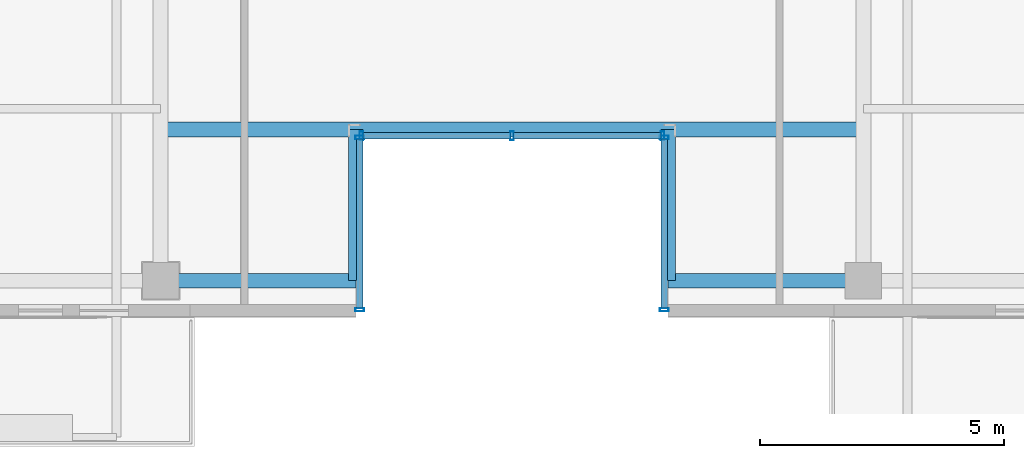
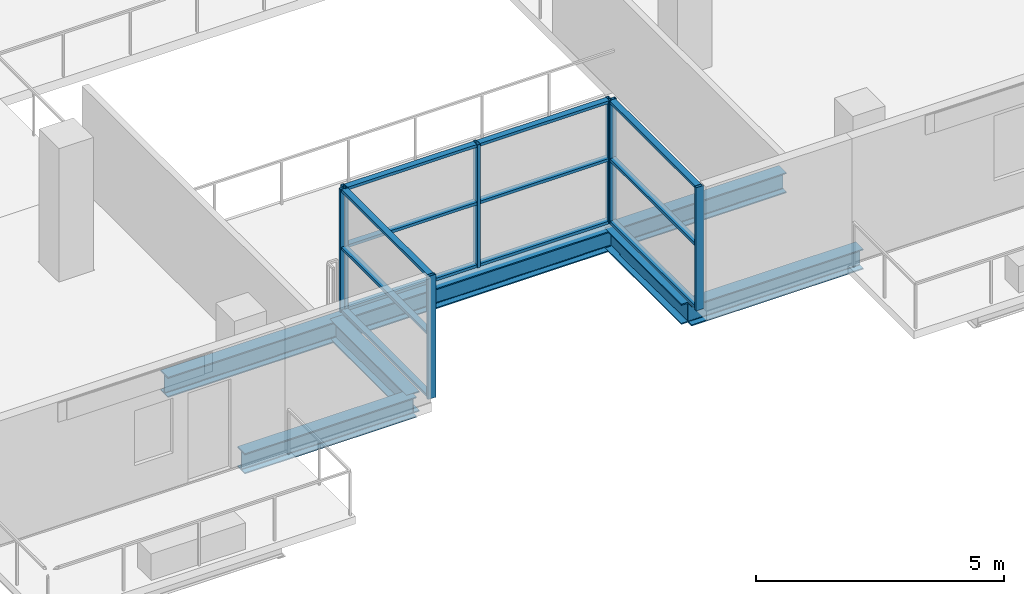
# One storey, part 5 of 22: 19 members, 5 beams, 3 elements without a shape of their own.
"""IFC4 building model written with IfcOpenShell, lengths in metres."""

from ifc_helpers import new_model, si_unit, direction, frame, origin, origin_2d, place, context, subcontext, project, spatial, hollow_rectangle, i_section, extrude, source, transform, mapped, material, layer, layer_set, material_profile, profile_set, type_object, element, aggregate, save


model = new_model("IFC4")

# Units and contexts
model_context = context("Model", 3, precision=1e-05, world=origin(), true_north=direction((0.0, 1.0)))
body_context = subcontext(model_context, "Body", "Model", "MODEL_VIEW")
ifc_project = project(units=[si_unit("LENGTHUNIT", "METRE"), si_unit("AREAUNIT", "SQUARE_METRE"), si_unit("VOLUMEUNIT", "CUBIC_METRE"), si_unit("PLANEANGLEUNIT", "RADIAN"), si_unit("MASSUNIT", "GRAM", prefix="KILO")], contexts=[model_context])

# Site, building, storey
site_placement = place(None, origin())
site = spatial("IfcSite", under=ifc_project, at=site_placement, CompositionType="ELEMENT")
building_placement = place(site_placement, origin())
building = spatial("IfcBuilding", under=site, at=building_placement, Name="Zarnakvel Exchange Tower", CompositionType="ELEMENT")
storey_placement = place(building_placement, frame((0.0, 0.0, 195.699951171875)))
storey = spatial("IfcBuildingStorey", under=building, at=storey_placement, Name="L55", CompositionType="ELEMENT", Elevation=195.699951171875)

# Beams
ifc_material_1 = material(Name="Steel S355", Category="steel")
ifc_material_profile_1 = material_profile(ifc_material_1, i_section(OverallWidth=0.300048828125, OverallDepth=0.5, WebThickness=0.014404296875, FlangeThickness=0.028076171875, FilletRadius=0.027099609375, at=origin_2d()))
ifc_profile_set_1 = profile_set([ifc_material_profile_1], Name="Steel S355")
beam_type_1 = type_object("IfcBeamType", Name="G-06", PredefinedType="BEAM", material=ifc_profile_set_1)
for number, where, z_axis, x_axis, name in (
    (1, (-3.199951171875, -16.64990234375, -0.474853515625), (0.0, 1.0, 0.0), (-1.0, 0.0, 0.0), "L55 South Slot West Cheek Beam"),
    (2, (3.199951171875, -16.64990234375, -0.474853515625), (0.0, 1.0, 0.0), (-1.0, 0.0, 0.0), "L55 South Slot East Cheek Beam"),
):
    element("IfcBeam", number, at=place(storey_placement, frame(where, z_axis=z_axis, x_axis=x_axis)), inside=storey, type_object=beam_type_1, Name=name, PredefinedType="BEAM", context=body_context, shape_type="SweptSolid", body=[
        extrude(i_section(OverallWidth=0.300048828125, OverallDepth=0.5, WebThickness=0.014404296875, FlangeThickness=0.028076171875, FilletRadius=0.027099609375, at=origin_2d()), origin(), (0.0, 0.0, 1.0), 3.099853515625),
    ])
ifc_material_profile_2 = material_profile(ifc_material_1, i_section(OverallWidth=0.300048828125, OverallDepth=0.5, WebThickness=0.014404296875, FlangeThickness=0.028076171875, FilletRadius=0.027099609375, at=origin_2d()))
ifc_profile_set_2 = profile_set([ifc_material_profile_2], Name="Steel S355")
beam_type_2 = type_object("IfcBeamType", Name="SP-02", PredefinedType="SPANDREL", material=ifc_profile_set_2)
for number, where, z_axis, x_axis, name in (
    (3, (-7.199951171875, -16.64990234375, -0.474853515625), (1.0, 0.0, 0.0), (0.0, 1.0, 0.0), "L55 South Slot West Jamb Spandrel"),
    (4, (3.199951171875, -16.64990234375, -0.474853515625), (1.0, 0.0, 0.0), (0.0, 1.0, 0.0), "L55 South Slot East Jamb Spandrel"),
):
    element("IfcBeam", number, at=place(storey_placement, frame(where, z_axis=z_axis, x_axis=x_axis)), inside=storey, type_object=beam_type_2, Name=name, PredefinedType="SPANDREL", context=body_context, shape_type="SweptSolid", body=[
        extrude(i_section(OverallWidth=0.300048828125, OverallDepth=0.5, WebThickness=0.014404296875, FlangeThickness=0.028076171875, FilletRadius=0.027099609375, at=origin_2d()), origin(), (0.0, 0.0, 1.0), 4.0),
    ])
beam_placement = place(storey_placement, frame((-7.199951171875, -13.550048828125, -0.474853515625), z_axis=(1.0, 0.0, 0.0), x_axis=(0.0, 1.0, 0.0)))
element("IfcBeam", 5, at=beam_placement, inside=storey, type_object=beam_type_2, Name="L55 South Slot Head Trimmer Girder", PredefinedType="SPANDREL", context=body_context, shape_type="SweptSolid", body=[
    extrude(i_section(OverallWidth=0.300048828125, OverallDepth=0.5, WebThickness=0.014404296875, FlangeThickness=0.028076171875, FilletRadius=0.027099609375, at=origin_2d()), origin(), (0.0, 0.0, 1.0), 14.39990234375),
])

# Curtain wall, members
ifc_material_2 = material(Name="Architectural Bronze Anodised Aluminium", Category="aluminium")
ifc_layer = layer(ifc_material_2, 0.179931640625)
ifc_layer_set = layer_set([ifc_layer], Name="Architectural Bronze Anodised Aluminium")
curtain_wall_type = type_object("IfcCurtainWallType", Name="CW-05", PredefinedType="NOTDEFINED", material=ifc_layer_set)
curtain_wall_1_placement = place(storey_placement, origin())
curtain_wall_1 = element("IfcCurtainWall", 6, at=curtain_wall_1_placement, inside=storey, type_object=curtain_wall_type, Name="L55 Curtain Wall CW-L55-SLW (CW-05)", PredefinedType="NOTDEFINED")
ifc_material_profile_3 = material_profile(ifc_material_2, hollow_rectangle(XDim=0.139892578125, YDim=0.070068359375, WallThickness=0.00390625, at=origin_2d()))
ifc_profile_set_3 = profile_set([ifc_material_profile_3], Name="Architectural Bronze Anodised Aluminium")
member_type_1 = type_object("IfcMemberType", Name="CWT-05", PredefinedType="USERDEFINED", material=ifc_profile_set_3)
shared_shape_1 = source(origin(), body_context, "Body", "SweptSolid", [
    extrude(hollow_rectangle(XDim=0.139892578125, YDim=0.070068359375, WallThickness=0.00390625, at=origin_2d()), origin(), (0.0, 0.0, 1.0), 3.4599609375),
])
member_1_placement = place(storey_placement, frame((-3.1201171875, -17.2099609375, 0.03515625), z_axis=(0.0, 1.0, 0.0), x_axis=(-1.0, 0.0, 0.0)))
member_1 = element("IfcMember", 7, at=member_1_placement, type_object=member_type_1, Name="CW-05 transom 1.1", ObjectType="TRANSOM", PredefinedType="USERDEFINED", context=body_context, shape_type="MappedRepresentation", body=[
    mapped(shared_shape_1, transform((0.0, 0.0, 0.0), x_axis=(1.0, 0.0, 0.0), y_axis=(0.0, 1.0, 0.0), z_axis=(0.0, 0.0, 1.0), scale=1.0)),
])
member_2_placement = place(storey_placement, frame((-3.1201171875, -17.2099609375, 1.57568359375), z_axis=(0.0, 1.0, 0.0), x_axis=(-1.0, 0.0, 0.0)))
member_2 = element("IfcMember", 8, at=member_2_placement, type_object=member_type_1, Name="CW-05 transom 1.2", ObjectType="TRANSOM", PredefinedType="USERDEFINED", context=body_context, shape_type="MappedRepresentation", body=[
    mapped(shared_shape_1, transform((0.0, 0.0, 0.0), x_axis=(1.0, 0.0, 0.0), y_axis=(0.0, 1.0, 0.0), z_axis=(0.0, 0.0, 1.0), scale=1.0)),
])
member_3_placement = place(storey_placement, frame((-3.1201171875, -17.2099609375, 2.9951171875), z_axis=(0.0, 1.0, 0.0), x_axis=(-1.0, 0.0, 0.0)))
member_3 = element("IfcMember", 9, at=member_3_placement, type_object=member_type_1, Name="CW-05 transom 1.3", ObjectType="TRANSOM", PredefinedType="USERDEFINED", context=body_context, shape_type="MappedRepresentation", body=[
    mapped(shared_shape_1, transform((0.0, 0.0, 0.0), x_axis=(1.0, 0.0, 0.0), y_axis=(0.0, 1.0, 0.0), z_axis=(0.0, 0.0, 1.0), scale=1.0)),
])

curtain_wall_2_placement = place(storey_placement, origin())
curtain_wall_2 = element("IfcCurtainWall", 10, at=curtain_wall_2_placement, inside=storey, type_object=curtain_wall_type, Name="L55 Curtain Wall CW-L55-SLE (CW-05)", PredefinedType="NOTDEFINED")
member_4_placement = place(storey_placement, frame((3.1201171875, -13.75, 0.03515625), z_axis=(0.0, -1.0, 0.0), x_axis=(1.0, 0.0, 0.0)))
member_4 = element("IfcMember", 11, at=member_4_placement, type_object=member_type_1, Name="CW-05 transom 1.1", ObjectType="TRANSOM", PredefinedType="USERDEFINED", context=body_context, shape_type="MappedRepresentation", body=[
    mapped(shared_shape_1, transform((0.0, 0.0, 0.0), x_axis=(1.0, 0.0, 0.0), y_axis=(0.0, 1.0, 0.0), z_axis=(0.0, 0.0, 1.0), scale=1.0)),
])
member_5_placement = place(storey_placement, frame((3.1201171875, -13.75, 1.57568359375), z_axis=(0.0, -1.0, 0.0), x_axis=(1.0, 0.0, 0.0)))
member_5 = element("IfcMember", 12, at=member_5_placement, type_object=member_type_1, Name="CW-05 transom 1.2", ObjectType="TRANSOM", PredefinedType="USERDEFINED", context=body_context, shape_type="MappedRepresentation", body=[
    mapped(shared_shape_1, transform((0.0, 0.0, 0.0), x_axis=(1.0, 0.0, 0.0), y_axis=(0.0, 1.0, 0.0), z_axis=(0.0, 0.0, 1.0), scale=1.0)),
])
member_6_placement = place(storey_placement, frame((3.1201171875, -13.75, 2.9951171875), z_axis=(0.0, -1.0, 0.0), x_axis=(1.0, 0.0, 0.0)))
member_6 = element("IfcMember", 13, at=member_6_placement, type_object=member_type_1, Name="CW-05 transom 1.3", ObjectType="TRANSOM", PredefinedType="USERDEFINED", context=body_context, shape_type="MappedRepresentation", body=[
    mapped(shared_shape_1, transform((0.0, 0.0, 0.0), x_axis=(1.0, 0.0, 0.0), y_axis=(0.0, 1.0, 0.0), z_axis=(0.0, 0.0, 1.0), scale=1.0)),
])

curtain_wall_3_placement = place(storey_placement, origin())
curtain_wall_3 = element("IfcCurtainWall", 14, at=curtain_wall_3_placement, inside=storey, type_object=curtain_wall_type, Name="L55 Curtain Wall CW-L55-SLB (CW-05)", PredefinedType="NOTDEFINED")
shared_shape_2 = source(origin(), body_context, "Body", "SweptSolid", [
    extrude(hollow_rectangle(XDim=0.139892578125, YDim=0.070068359375, WallThickness=0.00390625, at=origin_2d()), origin(), (0.0, 0.0, 1.0), 3.01513671875),
])
member_7_placement = place(storey_placement, frame((-3.050048828125, -13.679931640625, 0.03515625), z_axis=(1.0, 0.0, 0.0), x_axis=(0.0, 1.0, 0.0)))
member_7 = element("IfcMember", 15, at=member_7_placement, type_object=member_type_1, Name="CW-05 transom 1.1", ObjectType="TRANSOM", PredefinedType="USERDEFINED", context=body_context, shape_type="MappedRepresentation", body=[
    mapped(shared_shape_2, transform((0.0, 0.0, 0.0), x_axis=(1.0, 0.0, 0.0), y_axis=(0.0, 1.0, 0.0), z_axis=(0.0, 0.0, 1.0), scale=1.0)),
])
member_8_placement = place(storey_placement, frame((-3.050048828125, -13.679931640625, 1.57568359375), z_axis=(1.0, 0.0, 0.0), x_axis=(0.0, 1.0, 0.0)))
member_8 = element("IfcMember", 16, at=member_8_placement, type_object=member_type_1, Name="CW-05 transom 1.2", ObjectType="TRANSOM", PredefinedType="USERDEFINED", context=body_context, shape_type="MappedRepresentation", body=[
    mapped(shared_shape_2, transform((0.0, 0.0, 0.0), x_axis=(1.0, 0.0, 0.0), y_axis=(0.0, 1.0, 0.0), z_axis=(0.0, 0.0, 1.0), scale=1.0)),
])
member_9_placement = place(storey_placement, frame((-3.050048828125, -13.679931640625, 2.9951171875), z_axis=(1.0, 0.0, 0.0), x_axis=(0.0, 1.0, 0.0)))
member_9 = element("IfcMember", 17, at=member_9_placement, type_object=member_type_1, Name="CW-05 transom 1.3", ObjectType="TRANSOM", PredefinedType="USERDEFINED", context=body_context, shape_type="MappedRepresentation", body=[
    mapped(shared_shape_2, transform((0.0, 0.0, 0.0), x_axis=(1.0, 0.0, 0.0), y_axis=(0.0, 1.0, 0.0), z_axis=(0.0, 0.0, 1.0), scale=1.0)),
])
member_10_placement = place(storey_placement, frame((0.034912109375, -13.679931640625, 0.03515625), z_axis=(1.0, 0.0, 0.0), x_axis=(0.0, 1.0, 0.0)))
member_10 = element("IfcMember", 18, at=member_10_placement, type_object=member_type_1, Name="CW-05 transom 2.1", ObjectType="TRANSOM", PredefinedType="USERDEFINED", context=body_context, shape_type="MappedRepresentation", body=[
    mapped(shared_shape_2, transform((0.0, 0.0, 0.0), x_axis=(1.0, 0.0, 0.0), y_axis=(0.0, 1.0, 0.0), z_axis=(0.0, 0.0, 1.0), scale=1.0)),
])
member_11_placement = place(storey_placement, frame((0.034912109375, -13.679931640625, 1.57568359375), z_axis=(1.0, 0.0, 0.0), x_axis=(0.0, 1.0, 0.0)))
member_11 = element("IfcMember", 19, at=member_11_placement, type_object=member_type_1, Name="CW-05 transom 2.2", ObjectType="TRANSOM", PredefinedType="USERDEFINED", context=body_context, shape_type="MappedRepresentation", body=[
    mapped(shared_shape_2, transform((0.0, 0.0, 0.0), x_axis=(1.0, 0.0, 0.0), y_axis=(0.0, 1.0, 0.0), z_axis=(0.0, 0.0, 1.0), scale=1.0)),
])
member_12_placement = place(storey_placement, frame((0.034912109375, -13.679931640625, 2.9951171875), z_axis=(1.0, 0.0, 0.0), x_axis=(0.0, 1.0, 0.0)))
member_12 = element("IfcMember", 20, at=member_12_placement, type_object=member_type_1, Name="CW-05 transom 2.3", ObjectType="TRANSOM", PredefinedType="USERDEFINED", context=body_context, shape_type="MappedRepresentation", body=[
    mapped(shared_shape_2, transform((0.0, 0.0, 0.0), x_axis=(1.0, 0.0, 0.0), y_axis=(0.0, 1.0, 0.0), z_axis=(0.0, 0.0, 1.0), scale=1.0)),
])

# Member
ifc_material_profile_4 = material_profile(ifc_material_2, hollow_rectangle(XDim=0.179931640625, YDim=0.070068359375, WallThickness=0.00390625, at=origin_2d()))
ifc_profile_set_4 = profile_set([ifc_material_profile_4], Name="Architectural Bronze Anodised Aluminium")
member_type_2 = type_object("IfcMemberType", Name="CWM-05", PredefinedType="MULLION", material=ifc_profile_set_4)
shared_shape_3 = source(origin(), body_context, "Body", "SweptSolid", [
    extrude(hollow_rectangle(XDim=0.179931640625, YDim=0.070068359375, WallThickness=0.00390625, at=origin_2d()), origin(), (0.0, 0.0, 1.0), 3.030029296875),
])
member_13_placement = place(storey_placement, frame((-3.1201171875, -17.2451171875, 0.0), z_axis=(0.0, 0.0, 1.0), x_axis=(-1.0, 0.0, 0.0)))
member_13 = element("IfcMember", 21, at=member_13_placement, type_object=member_type_2, Name="CW-05 mullion 1", PredefinedType="MULLION", context=body_context, shape_type="MappedRepresentation", body=[
    mapped(shared_shape_3, transform((0.0, 0.0, 0.0), x_axis=(1.0, 0.0, 0.0), y_axis=(0.0, 1.0, 0.0), z_axis=(0.0, 0.0, 1.0), scale=1.0)),
])

member_14_placement = place(storey_placement, frame((-3.1201171875, -13.715087890625, 0.0), z_axis=(0.0, 0.0, 1.0), x_axis=(-1.0, 0.0, 0.0)))
member_14 = element("IfcMember", 22, at=member_14_placement, type_object=member_type_2, Name="CW-05 mullion 2", PredefinedType="MULLION", context=body_context, shape_type="MappedRepresentation", body=[
    mapped(shared_shape_3, transform((0.0, 0.0, 0.0), x_axis=(1.0, 0.0, 0.0), y_axis=(0.0, 1.0, 0.0), z_axis=(0.0, 0.0, 1.0), scale=1.0)),
])

aggregate(curtain_wall_1, [member_13, member_14, member_1, member_2, member_3])

member_15_placement = place(storey_placement, frame((-3.0849609375, -13.679931640625, 0.0), z_axis=(0.0, 0.0, 1.0), x_axis=(0.0, 1.0, 0.0)))
member_15 = element("IfcMember", 23, at=member_15_placement, type_object=member_type_2, Name="CW-05 mullion 1", PredefinedType="MULLION", context=body_context, shape_type="MappedRepresentation", body=[
    mapped(shared_shape_3, transform((0.0, 0.0, 0.0), x_axis=(1.0, 0.0, 0.0), y_axis=(0.0, 1.0, 0.0), z_axis=(0.0, 0.0, 1.0), scale=1.0)),
])

member_16_placement = place(storey_placement, frame((0.0, -13.679931640625, 0.0), z_axis=(0.0, 0.0, 1.0), x_axis=(0.0, 1.0, 0.0)))
member_16 = element("IfcMember", 24, at=member_16_placement, type_object=member_type_2, Name="CW-05 mullion 2", PredefinedType="MULLION", context=body_context, shape_type="MappedRepresentation", body=[
    mapped(shared_shape_3, transform((0.0, 0.0, 0.0), x_axis=(1.0, 0.0, 0.0), y_axis=(0.0, 1.0, 0.0), z_axis=(0.0, 0.0, 1.0), scale=1.0)),
])

member_17_placement = place(storey_placement, frame((3.0849609375, -13.679931640625, 0.0), z_axis=(0.0, 0.0, 1.0), x_axis=(0.0, 1.0, 0.0)))
member_17 = element("IfcMember", 25, at=member_17_placement, type_object=member_type_2, Name="CW-05 mullion 3", PredefinedType="MULLION", context=body_context, shape_type="MappedRepresentation", body=[
    mapped(shared_shape_3, transform((0.0, 0.0, 0.0), x_axis=(1.0, 0.0, 0.0), y_axis=(0.0, 1.0, 0.0), z_axis=(0.0, 0.0, 1.0), scale=1.0)),
])

aggregate(curtain_wall_3, [member_15, member_16, member_17, member_7, member_8, member_9, member_10, member_11, member_12])

member_18_placement = place(storey_placement, frame((3.1201171875, -13.715087890625, 0.0), z_axis=(0.0, 0.0, 1.0), x_axis=(1.0, 0.0, 0.0)))
member_18 = element("IfcMember", 26, at=member_18_placement, type_object=member_type_2, Name="CW-05 mullion 1", PredefinedType="MULLION", context=body_context, shape_type="MappedRepresentation", body=[
    mapped(shared_shape_3, transform((0.0, 0.0, 0.0), x_axis=(1.0, 0.0, 0.0), y_axis=(0.0, 1.0, 0.0), z_axis=(0.0, 0.0, 1.0), scale=1.0)),
])

member_19_placement = place(storey_placement, frame((3.1201171875, -17.2451171875, 0.0), z_axis=(0.0, 0.0, 1.0), x_axis=(1.0, 0.0, 0.0)))
member_19 = element("IfcMember", 27, at=member_19_placement, type_object=member_type_2, Name="CW-05 mullion 2", PredefinedType="MULLION", context=body_context, shape_type="MappedRepresentation", body=[
    mapped(shared_shape_3, transform((0.0, 0.0, 0.0), x_axis=(1.0, 0.0, 0.0), y_axis=(0.0, 1.0, 0.0), z_axis=(0.0, 0.0, 1.0), scale=1.0)),
])

aggregate(curtain_wall_2, [member_18, member_19, member_4, member_5, member_6])

save(model, "model.ifc")
